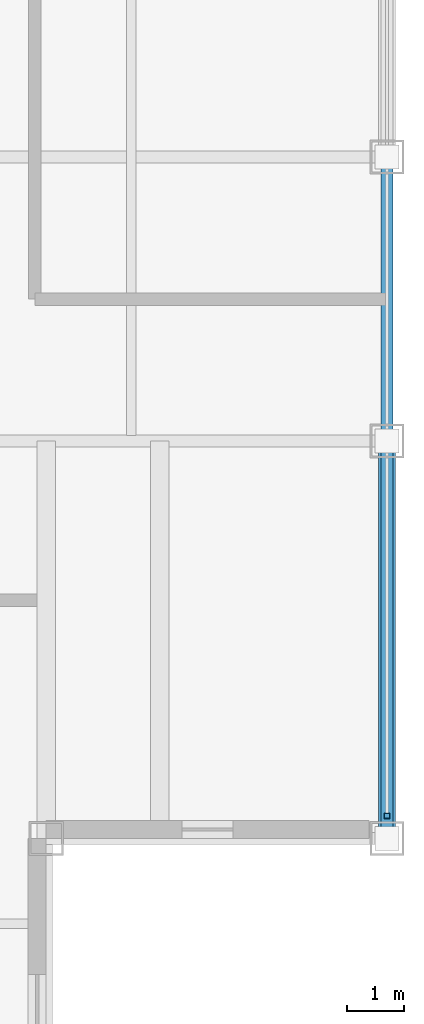
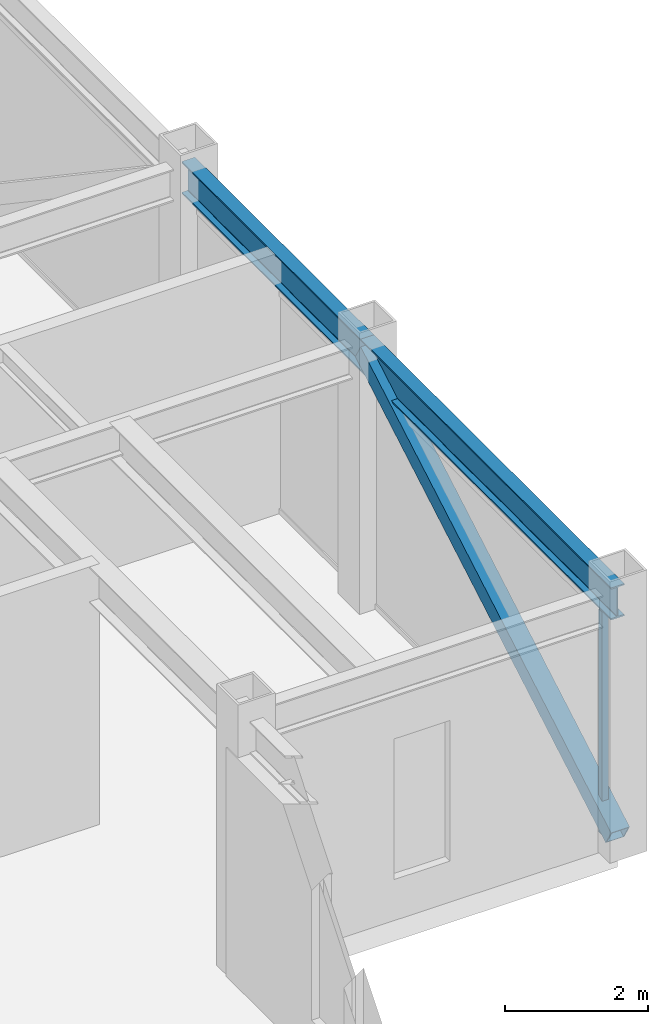
# One storey, part 10 of 27: 2 beams, 2 members, 1 element without a shape of its own.
"""IFC4 building model written with IfcOpenShell, lengths in metres."""

from ifc_helpers import new_model, si_unit, direction, frame, origin, origin_2d, place, context, subcontext, project, spatial, hollow_rectangle, i_section, extrude, source, transform, mapped, material, material_profile, profile_set, type_object, element, aggregate, save


model = new_model("IFC4")

# Units and contexts
model_context = context("Model", 3, precision=1e-05, world=origin(), true_north=direction((0.0, 1.0)))
body_context = subcontext(model_context, "Body", "Model", "MODEL_VIEW")
ifc_project = project(units=[si_unit("LENGTHUNIT", "METRE"), si_unit("AREAUNIT", "SQUARE_METRE"), si_unit("VOLUMEUNIT", "CUBIC_METRE"), si_unit("PLANEANGLEUNIT", "RADIAN"), si_unit("MASSUNIT", "GRAM", prefix="KILO")], contexts=[model_context])

# Site, building, storey
site_placement = place(None, origin())
site = spatial("IfcSite", under=ifc_project, at=site_placement, CompositionType="ELEMENT")
building_placement = place(site_placement, origin())
building = spatial("IfcBuilding", under=site, at=building_placement, Name="Khorayat Bourse Tower", CompositionType="ELEMENT")
storey_placement = place(building_placement, frame((0.0, 0.0, 389.89990234375)))
storey = spatial("IfcBuildingStorey", under=building, at=storey_placement, Name="L92", CompositionType="ELEMENT", Elevation=389.89990234375)

# Beams
ifc_material_1 = material(Name="Steel ASTM A992 Grade 50", Category="steel")
ifc_material_profile_1 = material_profile(ifc_material_1, i_section(OverallWidth=0.214111328125, OverallDepth=0.549072265625, WebThickness=0.0146484375, FlangeThickness=0.023681640625, FilletRadius=0.013916015625, at=origin_2d()), Name="W530X138")
ifc_profile_set_1 = profile_set([ifc_material_profile_1], Name="Steel ASTM A992 Grade 50")
beam_type = type_object("IfcBeamType", Name="BM-SPAN-530", PredefinedType="SPANDREL", material=ifc_profile_set_1)
shared_shape_1 = source(origin(), body_context, "Body", "SweptSolid", [
    extrude(i_section(OverallWidth=0.214111328125, OverallDepth=0.549072265625, WebThickness=0.0146484375, FlangeThickness=0.023681640625, FilletRadius=0.013916015625, at=origin_2d()), origin(), (0.0, 0.0, 1.0), 5.0),
])
beam_1_placement = place(storey_placement, frame((24.0, -11.0, 4.175537109375), z_axis=(0.0, 1.0, 0.0), x_axis=(-1.0, 0.0, 0.0)))
element("IfcBeam", 1, at=beam_1_placement, inside=storey, type_object=beam_type, Name="L92 BM-SPAN-530 BM-L92-SPN-033", PredefinedType="SPANDREL", context=body_context, shape_type="MappedRepresentation", body=[
    mapped(shared_shape_1, transform((0.0, 0.0, 0.0), scale=1.0)),
])
shared_shape_2 = source(origin(), body_context, "Body", "SweptSolid", [
    extrude(i_section(OverallWidth=0.214111328125, OverallDepth=0.549072265625, WebThickness=0.0146484375, FlangeThickness=0.023681640625, FilletRadius=0.013916015625, at=origin_2d()), origin(), (0.0, 0.0, 1.0), 7.0),
])
beam_2_placement = place(storey_placement, frame((24.0, -18.0, 4.175537109375), z_axis=(0.0, 1.0, 0.0), x_axis=(-1.0, 0.0, 0.0)))
element("IfcBeam", 2, at=beam_2_placement, inside=storey, type_object=beam_type, Name="L92 BM-SPAN-530 BM-L92-SPN-032", PredefinedType="SPANDREL", context=body_context, shape_type="MappedRepresentation", body=[
    mapped(shared_shape_2, transform((0.0, 0.0, 0.0), scale=1.0)),
])

# Member
ifc_material_2 = material(Name="Steel EN 10025-2 S355J2", Category="steel")
ifc_material_profile_2 = material_profile(ifc_material_2, hollow_rectangle(XDim=0.300048828125, YDim=0.300048828125, WallThickness=0.01611328125, at=origin_2d()), Name="HSS 300x300x16")
ifc_profile_set_2 = profile_set([ifc_material_profile_2], Name="Steel EN 10025-2 S355J2")
member_type_1 = type_object("IfcMemberType", Name="MBR-CROWN-300", PredefinedType="USERDEFINED", material=ifc_profile_set_2)
shared_shape_3 = source(origin(), body_context, "Body", "SweptSolid", [
    extrude(hollow_rectangle(XDim=0.300048828125, YDim=0.300048828125, WallThickness=0.01611328125, at=origin_2d()), origin(), (0.0, 0.0, 1.0), 8.087158203125),
])
member_1_placement = place(storey_placement, frame((24.0, -18.0, 0.2001953125), z_axis=(0.0, 0.865577817, 0.500774442955), x_axis=(-1.0, 0.0, 0.0)))
element("IfcMember", 3, at=member_1_placement, inside=storey, type_object=member_type_1, Name="L92 Lantern Crown Frame Member 13", ObjectType="CROWN FRAME", PredefinedType="USERDEFINED", context=body_context, shape_type="MappedRepresentation", body=[
    mapped(shared_shape_3, transform((0.0, 0.0, 0.0), scale=1.0)),
])

# Curtain wall, member
ifc_material_3 = material(Name="Aluminium EN AW-6063 T6", Category="aluminium")
curtain_wall_type = type_object("IfcCurtainWallType", Name="CW-SYS-07", PredefinedType="NOTDEFINED", material=ifc_material_3)
curtain_wall_placement = place(storey_placement, origin())
curtain_wall = element("IfcCurtainWall", 4, at=curtain_wall_placement, inside=storey, type_object=curtain_wall_type, Name="L92 Curtain Wall CW-L92-E1", PredefinedType="NOTDEFINED")
ifc_material_profile_3 = material_profile(ifc_material_3, hollow_rectangle(XDim=0.10009765625, YDim=0.10009765625, WallThickness=0.0048828125, at=origin_2d()), Name="ALU 100x100x5")
ifc_profile_set_3 = profile_set([ifc_material_profile_3], Name="Aluminium EN AW-6063 T6")
member_type_2 = type_object("IfcMemberType", Name="CWM-LANTERN-100", PredefinedType="MULLION", material=ifc_profile_set_3)
shared_shape_4 = source(origin(), body_context, "Body", "SweptSolid", [
    extrude(hollow_rectangle(XDim=0.10009765625, YDim=0.10009765625, WallThickness=0.0048828125, at=origin_2d()), origin(), (0.0, 0.0, 1.0), 3.800048828125),
])
member_2_placement = place(storey_placement, frame((24.0, -17.60009765625, 0.0), z_axis=(0.0, 0.0, 1.0), x_axis=(-1.0, 0.0, 0.0)))
member_2 = element("IfcMember", 5, at=member_2_placement, type_object=member_type_2, Name="CW-L92-E1 Vertical Mullion 1", PredefinedType="MULLION", context=body_context, shape_type="MappedRepresentation", body=[
    mapped(shared_shape_4, transform((0.0, 0.0, 0.0), scale=1.0)),
])
aggregate(curtain_wall, [member_2])

save(model, "model.ifc")
